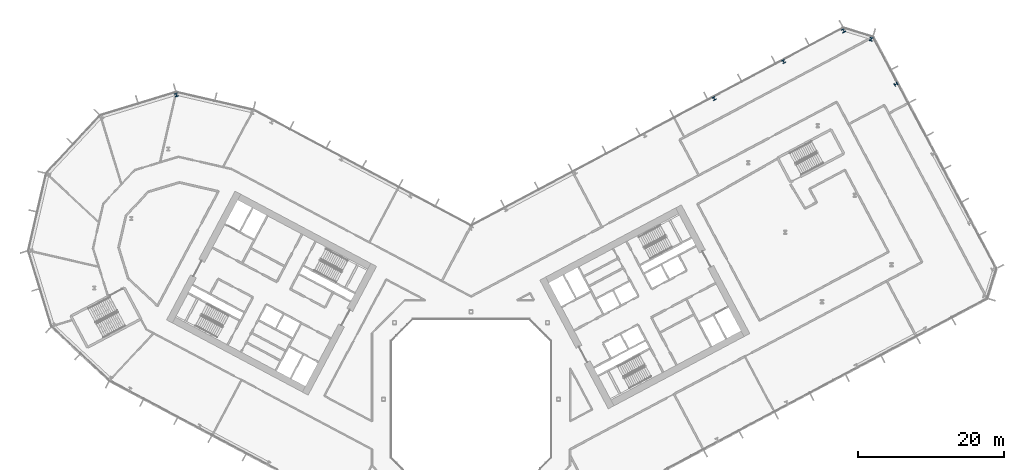
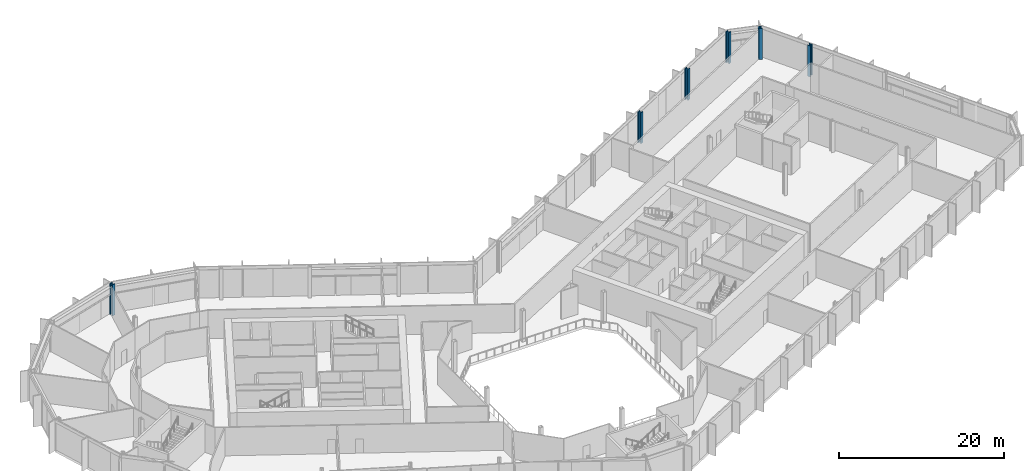
# One storey, part 5 of 30: 6 columns.
"""IFC4 building model written with IfcOpenShell, lengths in metres."""

from ifc_helpers import new_model, si_unit, direction, frame, origin, origin_2d, place, context, subcontext, project, spatial, i_section, extrude, material, material_profile, profile_set, type_object, element, save


model = new_model("IFC4")

# Units and contexts
model_context = context("Model", 3, precision=1e-05, world=origin(), true_north=direction((0.0, 1.0)))
body_context = subcontext(model_context, "Body", "Model", "MODEL_VIEW")
ifc_project = project(units=[si_unit("LENGTHUNIT", "METRE"), si_unit("AREAUNIT", "SQUARE_METRE"), si_unit("VOLUMEUNIT", "CUBIC_METRE"), si_unit("PLANEANGLEUNIT", "RADIAN"), si_unit("MASSUNIT", "GRAM", prefix="KILO")], contexts=[model_context])

# Site, building, storey
site_placement = place(None, origin())
site = spatial("IfcSite", under=ifc_project, at=site_placement, CompositionType="ELEMENT")
building_placement = place(site_placement, origin())
building = spatial("IfcBuilding", under=site, at=building_placement, Name="Cormorant Relay Tower", CompositionType="ELEMENT")
storey_placement = place(building_placement, frame((0.0, 0.0, 84.60009765625)))
storey = spatial("IfcBuildingStorey", under=building, at=storey_placement, Name="L16", CompositionType="ELEMENT", Elevation=84.60009765625)

# Columns
ifc_material_1 = material(Name="Steel ASTM A992 (Fy 345 MPa)", Category="steel")
ifc_material_profile_1 = material_profile(ifc_material_1, i_section(OverallWidth=0.42431640625, OverallDepth=0.47509765625, WebThickness=0.0478515625, FlangeThickness=0.0771484375, FilletRadius=0.014892578125, at=origin_2d()), Name="W360x634")
ifc_profile_set_1 = profile_set([ifc_material_profile_1], Name="Steel ASTM A992 (Fy 345 MPa)")
column_type_1 = type_object("IfcColumnType", Name="Column W360x634", PredefinedType="COLUMN", material=ifc_profile_set_1)
for number, where, z_axis, x_axis, name in (
    (1, (33.342041015625, 41.239990234375, 0.0), (0.0, 0.0, 1.0), (-0.882947592859, -0.469471562786, 0.0), "Column L16-049"),
    (2, (58.2900390625, 43.22509765625, 0.0), (0.0, 0.0, 1.0), (-0.469471562786, 0.882947592859, 0.0), "Column L16-051"),
    (3, (42.876953125, 46.31005859375, 0.0), (0.0, 0.0, 1.0), (-0.882947592859, -0.469471562786, 0.0), "Column L16-052"),
):
    element("IfcColumn", number, at=place(storey_placement, frame(where, z_axis=z_axis, x_axis=x_axis)), inside=storey, type_object=column_type_1, Name=name, PredefinedType="COLUMN", context=body_context, shape_type="SweptSolid", body=[
        extrude(i_section(OverallWidth=0.42431640625, OverallDepth=0.47509765625, WebThickness=0.0478515625, FlangeThickness=0.0771484375, FilletRadius=0.014892578125, at=origin_2d()), origin(), (0.0, 0.0, 1.0), 4.599853515625),
    ])
ifc_material_2 = material(Name="Steel ASTM A992 (Fy 345 MPa)", Category="steel")
ifc_material_profile_2 = material_profile(ifc_material_2, i_section(OverallWidth=0.43701171875, OverallDepth=0.51318359375, WebThickness=0.060546875, FlangeThickness=0.096923828125, FilletRadius=0.015380859375, at=origin_2d()), Name="W360x818")
ifc_profile_set_2 = profile_set([ifc_material_profile_2], Name="Steel ASTM A992 (Fy 345 MPa)")
column_type_2 = type_object("IfcColumnType", Name="Column W360x818", PredefinedType="COLUMN", material=ifc_profile_set_2)
for number, where, z_axis, x_axis, name in (
    (4, (-40.452880859375, 41.763916015625, 0.0), (0.0, 0.0, 1.0), (-0.956304755963, -0.292371704723, 0.0), "Column L16-050"),
    (5, (54.885986328125, 49.409912109375, 0.0), (0.0, 0.0, 1.0), (-0.956304755963, 0.292371704723, 0.0), "Column L16-053"),
    (6, (51.10009765625, 50.56689453125, 0.0), (0.0, 0.0, 1.0), (-0.882947592859, -0.469471562786, 0.0), "Column L16-054"),
):
    element("IfcColumn", number, at=place(storey_placement, frame(where, z_axis=z_axis, x_axis=x_axis)), inside=storey, type_object=column_type_2, Name=name, PredefinedType="COLUMN", context=body_context, shape_type="SweptSolid", body=[
        extrude(i_section(OverallWidth=0.43701171875, OverallDepth=0.51318359375, WebThickness=0.060546875, FlangeThickness=0.096923828125, FilletRadius=0.015380859375, at=origin_2d()), origin(), (0.0, 0.0, 1.0), 4.599853515625),
    ])

save(model, "model.ifc")
